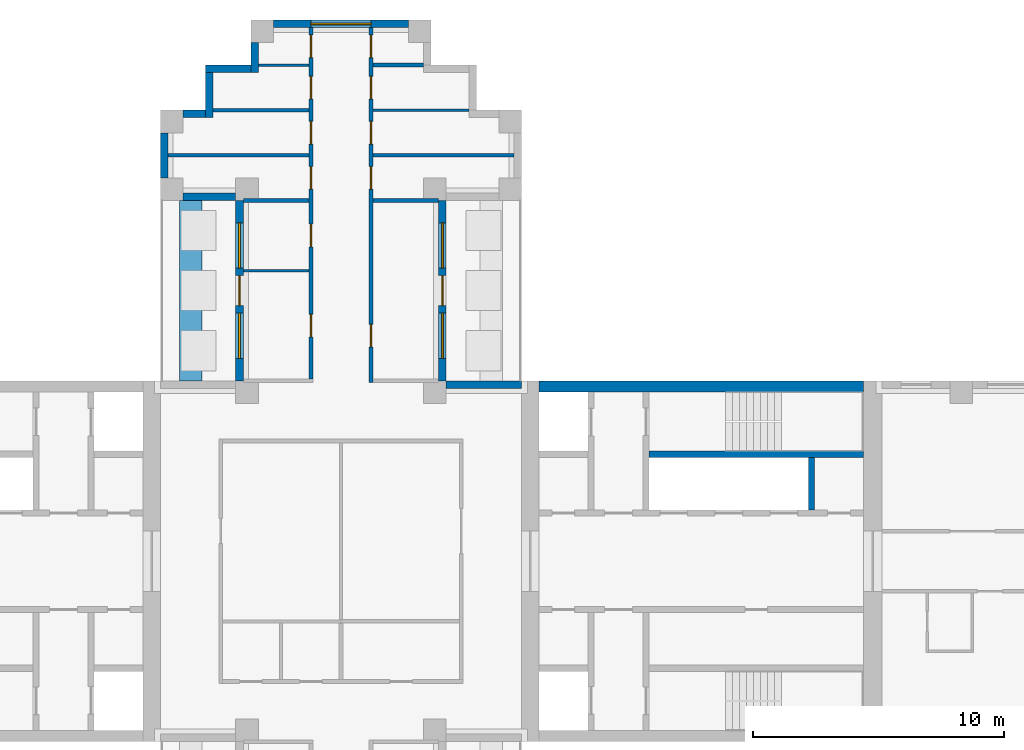
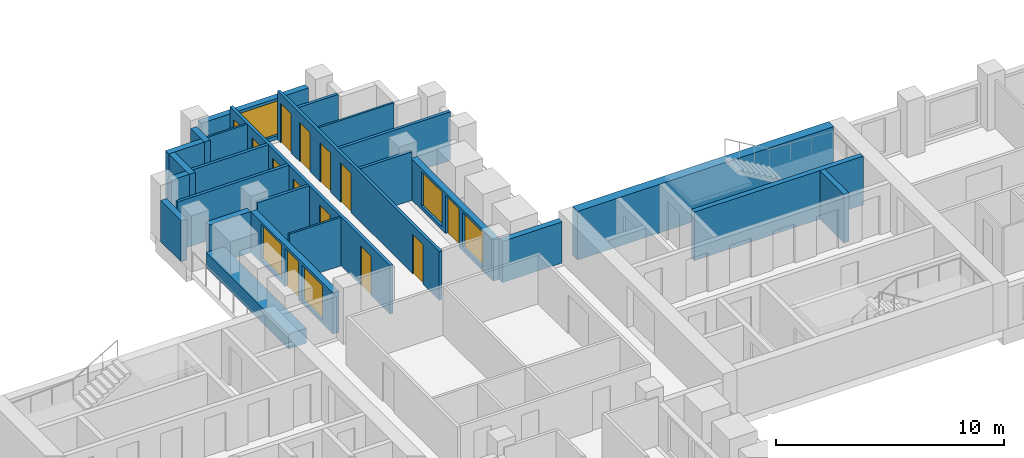
# One storey, part 7 of 12: 25 walls, 13 doors, 5 windows, 18 openings.
"""IFC4 building model written with IfcOpenShell, lengths in metres."""

from ifc_helpers import new_model, si_unit, direction, frame, frame_2d, origin, place, context, subcontext, project, spatial, rectangle, extrude, material, layer, layer_set, type_object, element, fill, save


model = new_model("IFC4")

# Units and contexts
model_context = context("Model", 3, precision=1e-05, world=origin(), true_north=direction((0.0, 1.0)))
body_context = subcontext(model_context, "Body", "Model", "MODEL_VIEW")
ifc_project = project(units=[si_unit("LENGTHUNIT", "METRE"), si_unit("AREAUNIT", "SQUARE_METRE"), si_unit("VOLUMEUNIT", "CUBIC_METRE"), si_unit("PLANEANGLEUNIT", "RADIAN"), si_unit("MASSUNIT", "GRAM", prefix="KILO")], contexts=[model_context])

# Site, building, storey
site_placement = place(None, origin())
site = spatial("IfcSite", under=ifc_project, at=site_placement, CompositionType="ELEMENT")
building_placement = place(site_placement, origin())
building = spatial("IfcBuilding", under=site, at=building_placement, Name="Fustian Cross Tower", CompositionType="ELEMENT")
storey_placement = place(building_placement, frame((0.0, 0.0, 156.300048828125)))
storey = spatial("IfcBuildingStorey", under=building, at=storey_placement, Name="L49", CompositionType="ELEMENT", Elevation=156.300048828125)

# Walls
ifc_material_1 = material(Name="Plasterboard on steel stud", Category="steel")
ifc_layer_1 = layer(ifc_material_1, 0.14990234375)
ifc_layer_set_1 = layer_set([ifc_layer_1], Name="Plasterboard on steel stud")
wall_type_1 = type_object("IfcWallType", Name="COMPARTMENT WALL 150 EI 60", PredefinedType="PARTITIONING", material=ifc_layer_set_1)
wall_1_placement = place(storey_placement, frame((-6.89990234375, 16.199951171875, 0.0), z_axis=(0.0, 0.0, 1.0), x_axis=(1.0, 0.0, 0.0)))
element("IfcWall", 1, at=wall_1_placement, inside=storey, type_object=wall_type_1, Name="Partition 10", PredefinedType="PARTITIONING", context=body_context, shape_type="SweptSolid", body=[
    extrude(rectangle(XDim=5.625, YDim=0.14990234375, at=frame_2d((2.8125, 0.0))), origin(), (0.0, 0.0, 1.0), 2.599853515625),
])
wall_2_placement = place(storey_placement, frame((-5.10009765625, 18.0, 0.0), z_axis=(0.0, 0.0, 1.0), x_axis=(1.0, 0.0, 0.0)))
element("IfcWall", 2, at=wall_2_placement, inside=storey, type_object=wall_type_1, Name="Partition 11", PredefinedType="PARTITIONING", context=body_context, shape_type="SweptSolid", body=[
    extrude(rectangle(XDim=3.8251953125, YDim=0.14990234375, at=frame_2d((1.91259765625, 0.0))), origin(), (0.0, 0.0, 1.0), 2.599853515625),
])
wall_3_placement = place(storey_placement, frame((-3.89990234375, 14.39990234375, 0.0), z_axis=(0.0, 0.0, 1.0), x_axis=(1.0, 0.0, 0.0)))
element("IfcWall", 3, at=wall_3_placement, inside=storey, type_object=wall_type_1, Name="Partition 21", PredefinedType="PARTITIONING", context=body_context, shape_type="SweptSolid", body=[
    extrude(rectangle(XDim=2.625, YDim=0.14990234375, at=frame_2d((1.3125, 0.0))), origin(), (0.0, 0.0, 1.0), 2.599853515625),
])

# Wall, openings, doors
wall_4_placement = place(storey_placement, frame((-1.199951171875, 7.27490234375, 0.0), z_axis=(0.0, 0.0, 1.0), x_axis=(0.0, 1.0, 0.0)))
wall_4 = element("IfcWall", 4, at=wall_4_placement, inside=storey, type_object=wall_type_1, Name="Partition 28", PredefinedType="PARTITIONING", context=body_context, shape_type="SweptSolid", body=[
    extrude(rectangle(XDim=14.025146484375, YDim=0.14990234375, at=frame_2d((7.0126953125, 0.0))), origin(), (0.0, 0.0, 1.0), 2.599853515625),
])
opening_1_placement = place(wall_4_placement, frame((5.27490234375, 0.0, 0.0)))
opening_1 = element("IfcOpeningElement", 5, at=opening_1_placement, cuts=wall_4, Name="Opening D22015", PredefinedType="OPENING", context=body_context, shape_type="SweptSolid", body=[
    extrude(rectangle(XDim=0.89990234375, YDim=2.10009765625, at=frame_2d((0.449951171875, 1.050048828125))), frame((0.0, 0.0849609375, 0.0), z_axis=(0.0, -1.0, 0.0), x_axis=(1.0, 0.0, 0.0)), (0.0, 0.0, 1.0), 0.169921875),
])
opening_2_placement = place(wall_4_placement, frame((1.675048828125, 0.0, 0.0)))
opening_2 = element("IfcOpeningElement", 6, at=opening_2_placement, cuts=wall_4, Name="Opening D22016", PredefinedType="OPENING", context=body_context, shape_type="SweptSolid", body=[
    extrude(rectangle(XDim=0.89990234375, YDim=2.10009765625, at=frame_2d((0.449951171875, 1.050048828125))), frame((0.0, 0.0849609375, 0.0), z_axis=(0.0, -1.0, 0.0), x_axis=(1.0, 0.0, 0.0)), (0.0, 0.0, 1.0), 0.169921875),
])
opening_3_placement = place(wall_4_placement, frame((7.574951171875, 0.0, 0.0)))
opening_3 = element("IfcOpeningElement", 7, at=opening_3_placement, cuts=wall_4, Name="Opening D22017", PredefinedType="OPENING", context=body_context, shape_type="SweptSolid", body=[
    extrude(rectangle(XDim=0.89990234375, YDim=2.10009765625, at=frame_2d((0.449951171875, 1.050048828125))), frame((0.0, 0.0849609375, 0.0), z_axis=(0.0, -1.0, 0.0), x_axis=(1.0, 0.0, 0.0)), (0.0, 0.0, 1.0), 0.169921875),
])
opening_4_placement = place(wall_4_placement, frame((9.375, 0.0, 0.0)))
opening_4 = element("IfcOpeningElement", 8, at=opening_4_placement, cuts=wall_4, Name="Opening D22018", PredefinedType="OPENING", context=body_context, shape_type="SweptSolid", body=[
    extrude(rectangle(XDim=0.89990234375, YDim=2.10009765625, at=frame_2d((0.449951171875, 1.050048828125))), frame((0.0, 0.0849609375, 0.0), z_axis=(0.0, -1.0, 0.0), x_axis=(1.0, 0.0, 0.0)), (0.0, 0.0, 1.0), 0.169921875),
])
opening_5_placement = place(wall_4_placement, frame((11.175048828125, 0.0, 0.0)))
opening_5 = element("IfcOpeningElement", 9, at=opening_5_placement, cuts=wall_4, Name="Opening D22019", PredefinedType="OPENING", context=body_context, shape_type="SweptSolid", body=[
    extrude(rectangle(XDim=0.89990234375, YDim=2.10009765625, at=frame_2d((0.449951171875, 1.050048828125))), frame((0.0, 0.0849609375, 0.0), z_axis=(0.0, -1.0, 0.0), x_axis=(1.0, 0.0, 0.0)), (0.0, 0.0, 1.0), 0.169921875),
])
opening_6_placement = place(wall_4_placement, frame((12.824951171875, 0.0, 0.0)))
opening_6 = element("IfcOpeningElement", 10, at=opening_6_placement, cuts=wall_4, Name="Opening D22020", PredefinedType="OPENING", context=body_context, shape_type="SweptSolid", body=[
    extrude(rectangle(XDim=0.89990234375, YDim=2.10009765625, at=frame_2d((0.449951171875, 1.050048828125))), frame((0.0, 0.0849609375, 0.0), z_axis=(0.0, -1.0, 0.0), x_axis=(1.0, 0.0, 0.0)), (0.0, 0.0, 1.0), 0.169921875),
])
ifc_material_2 = material(Name="Timber fire door set", Category="wood")
door_type_1 = type_object("IfcDoorType", Name="FIRE SWING DOOR 900 FD30S", OperationType="SINGLE_SWING_LEFT", PredefinedType="DOOR", material=ifc_material_2)
door_1_placement = place(opening_1_placement, origin())
door_1 = element("IfcDoor", 11, at=door_1_placement, inside=storey, type_object=door_type_1, Name="Door D22015", OperationType="SINGLE_SWING_LEFT", OverallHeight=2.10009765625, OverallWidth=0.89990234375, PredefinedType="DOOR", context=body_context, shape_type="SweptSolid", body=[
    extrude(rectangle(XDim=0.89990234375, YDim=2.10009765625, at=frame_2d((0.449951171875, 1.050048828125))), frame((0.0, 0.02490234375, 0.0), z_axis=(0.0, -1.0, 0.0), x_axis=(1.0, 0.0, 0.0)), (0.0, 0.0, 1.0), 0.050048828125),
])
fill(opening_1, door_1)
door_2_placement = place(opening_2_placement, origin())
door_2 = element("IfcDoor", 12, at=door_2_placement, inside=storey, type_object=door_type_1, Name="Door D22016", OperationType="SINGLE_SWING_LEFT", OverallHeight=2.10009765625, OverallWidth=0.89990234375, PredefinedType="DOOR", context=body_context, shape_type="SweptSolid", body=[
    extrude(rectangle(XDim=0.89990234375, YDim=2.10009765625, at=frame_2d((0.449951171875, 1.050048828125))), frame((0.0, 0.02490234375, 0.0), z_axis=(0.0, -1.0, 0.0), x_axis=(1.0, 0.0, 0.0)), (0.0, 0.0, 1.0), 0.050048828125),
])
fill(opening_2, door_2)
door_3_placement = place(opening_3_placement, origin())
door_3 = element("IfcDoor", 13, at=door_3_placement, inside=storey, type_object=door_type_1, Name="Door D22017", OperationType="SINGLE_SWING_RIGHT", OverallHeight=2.10009765625, OverallWidth=0.89990234375, PredefinedType="DOOR", context=body_context, shape_type="SweptSolid", body=[
    extrude(rectangle(XDim=0.89990234375, YDim=2.10009765625, at=frame_2d((0.449951171875, 1.050048828125))), frame((0.0, 0.02490234375, 0.0), z_axis=(0.0, -1.0, 0.0), x_axis=(1.0, 0.0, 0.0)), (0.0, 0.0, 1.0), 0.050048828125),
])
fill(opening_3, door_3)
door_4_placement = place(opening_4_placement, origin())
door_4 = element("IfcDoor", 14, at=door_4_placement, inside=storey, type_object=door_type_1, Name="Door D22018", OperationType="SINGLE_SWING_RIGHT", OverallHeight=2.10009765625, OverallWidth=0.89990234375, PredefinedType="DOOR", context=body_context, shape_type="SweptSolid", body=[
    extrude(rectangle(XDim=0.89990234375, YDim=2.10009765625, at=frame_2d((0.449951171875, 1.050048828125))), frame((0.0, 0.02490234375, 0.0), z_axis=(0.0, -1.0, 0.0), x_axis=(1.0, 0.0, 0.0)), (0.0, 0.0, 1.0), 0.050048828125),
])
fill(opening_4, door_4)
door_5_placement = place(opening_5_placement, origin())
door_5 = element("IfcDoor", 15, at=door_5_placement, inside=storey, type_object=door_type_1, Name="Door D22019", OperationType="SINGLE_SWING_RIGHT", OverallHeight=2.10009765625, OverallWidth=0.89990234375, PredefinedType="DOOR", context=body_context, shape_type="SweptSolid", body=[
    extrude(rectangle(XDim=0.89990234375, YDim=2.10009765625, at=frame_2d((0.449951171875, 1.050048828125))), frame((0.0, 0.02490234375, 0.0), z_axis=(0.0, -1.0, 0.0), x_axis=(1.0, 0.0, 0.0)), (0.0, 0.0, 1.0), 0.050048828125),
])
fill(opening_5, door_5)
door_6_placement = place(opening_6_placement, origin())
door_6 = element("IfcDoor", 16, at=door_6_placement, inside=storey, type_object=door_type_1, Name="Door D22020", OperationType="SINGLE_SWING_LEFT", OverallHeight=2.10009765625, OverallWidth=0.89990234375, PredefinedType="DOOR", context=body_context, shape_type="SweptSolid", body=[
    extrude(rectangle(XDim=0.89990234375, YDim=2.10009765625, at=frame_2d((0.449951171875, 1.050048828125))), frame((0.0, 0.02490234375, 0.0), z_axis=(0.0, -1.0, 0.0), x_axis=(1.0, 0.0, 0.0)), (0.0, 0.0, 1.0), 0.050048828125),
])
fill(opening_6, door_6)

wall_5_placement = place(storey_placement, frame((1.199951171875, 7.125, 0.0), z_axis=(0.0, 0.0, 1.0), x_axis=(0.0, 1.0, 0.0)))
wall_5 = element("IfcWall", 17, at=wall_5_placement, inside=storey, type_object=wall_type_1, Name="Partition 37", PredefinedType="PARTITIONING", context=body_context, shape_type="SweptSolid", body=[
    extrude(rectangle(XDim=14.175048828125, YDim=0.14990234375, at=frame_2d((7.08740234375, 0.0))), origin(), (0.0, 0.0, 1.0), 2.599853515625),
])
opening_7_placement = place(wall_5_placement, frame((1.425048828125, 0.0, 0.0)))
opening_7 = element("IfcOpeningElement", 18, at=opening_7_placement, cuts=wall_5, Name="Opening D22021", PredefinedType="OPENING", context=body_context, shape_type="SweptSolid", body=[
    extrude(rectangle(XDim=0.89990234375, YDim=2.10009765625, at=frame_2d((0.449951171875, 1.050048828125))), frame((0.0, 0.0849609375, 0.0), z_axis=(0.0, -1.0, 0.0), x_axis=(1.0, 0.0, 0.0)), (0.0, 0.0, 1.0), 0.169921875),
])
opening_8_placement = place(wall_5_placement, frame((7.72509765625, 0.0, 0.0)))
opening_8 = element("IfcOpeningElement", 19, at=opening_8_placement, cuts=wall_5, Name="Opening D22022", PredefinedType="OPENING", context=body_context, shape_type="SweptSolid", body=[
    extrude(rectangle(XDim=0.89990234375, YDim=2.10009765625, at=frame_2d((0.449951171875, 1.050048828125))), frame((0.0, 0.0849609375, 0.0), z_axis=(0.0, -1.0, 0.0), x_axis=(1.0, 0.0, 0.0)), (0.0, 0.0, 1.0), 0.169921875),
])
opening_9_placement = place(wall_5_placement, frame((9.52490234375, 0.0, 0.0)))
opening_9 = element("IfcOpeningElement", 20, at=opening_9_placement, cuts=wall_5, Name="Opening D22023", PredefinedType="OPENING", context=body_context, shape_type="SweptSolid", body=[
    extrude(rectangle(XDim=0.89990234375, YDim=2.10009765625, at=frame_2d((0.449951171875, 1.050048828125))), frame((0.0, 0.0849609375, 0.0), z_axis=(0.0, -1.0, 0.0), x_axis=(1.0, 0.0, 0.0)), (0.0, 0.0, 1.0), 0.169921875),
])
opening_10_placement = place(wall_5_placement, frame((11.324951171875, 0.0, 0.0)))
opening_10 = element("IfcOpeningElement", 21, at=opening_10_placement, cuts=wall_5, Name="Opening D22024", PredefinedType="OPENING", context=body_context, shape_type="SweptSolid", body=[
    extrude(rectangle(XDim=0.89990234375, YDim=2.10009765625, at=frame_2d((0.449951171875, 1.050048828125))), frame((0.0, 0.0849609375, 0.0), z_axis=(0.0, -1.0, 0.0), x_axis=(1.0, 0.0, 0.0)), (0.0, 0.0, 1.0), 0.169921875),
])
opening_11_placement = place(wall_5_placement, frame((12.97509765625, 0.0, 0.0)))
opening_11 = element("IfcOpeningElement", 22, at=opening_11_placement, cuts=wall_5, Name="Opening D22025", PredefinedType="OPENING", context=body_context, shape_type="SweptSolid", body=[
    extrude(rectangle(XDim=0.89990234375, YDim=2.10009765625, at=frame_2d((0.449951171875, 1.050048828125))), frame((0.0, 0.0849609375, 0.0), z_axis=(0.0, -1.0, 0.0), x_axis=(1.0, 0.0, 0.0)), (0.0, 0.0, 1.0), 0.169921875),
])
door_7_placement = place(opening_7_placement, frame((0.89990234375, 0.0, 0.0), z_axis=(0.0, 0.0, 1.0), x_axis=(-1.0, 0.0, 0.0)))
door_7 = element("IfcDoor", 23, at=door_7_placement, inside=storey, type_object=door_type_1, Name="Door D22021", OperationType="SINGLE_SWING_RIGHT", OverallHeight=2.10009765625, OverallWidth=0.89990234375, PredefinedType="DOOR", context=body_context, shape_type="SweptSolid", body=[
    extrude(rectangle(XDim=0.89990234375, YDim=2.10009765625, at=frame_2d((0.449951171875, 1.050048828125))), frame((0.0, 0.02490234375, 0.0), z_axis=(0.0, -1.0, 0.0), x_axis=(1.0, 0.0, 0.0)), (0.0, 0.0, 1.0), 0.050048828125),
])
fill(opening_7, door_7)
door_8_placement = place(opening_8_placement, origin())
door_8 = element("IfcDoor", 24, at=door_8_placement, inside=storey, type_object=door_type_1, Name="Door D22022", OperationType="SINGLE_SWING_RIGHT", OverallHeight=2.10009765625, OverallWidth=0.89990234375, PredefinedType="DOOR", context=body_context, shape_type="SweptSolid", body=[
    extrude(rectangle(XDim=0.89990234375, YDim=2.10009765625, at=frame_2d((0.449951171875, 1.050048828125))), frame((0.0, 0.02490234375, 0.0), z_axis=(0.0, -1.0, 0.0), x_axis=(1.0, 0.0, 0.0)), (0.0, 0.0, 1.0), 0.050048828125),
])
fill(opening_8, door_8)
door_9_placement = place(opening_9_placement, frame((0.89990234375, 0.0, 0.0), z_axis=(0.0, 0.0, 1.0), x_axis=(-1.0, 0.0, 0.0)))
door_9 = element("IfcDoor", 25, at=door_9_placement, inside=storey, type_object=door_type_1, Name="Door D22023", OperationType="SINGLE_SWING_LEFT", OverallHeight=2.10009765625, OverallWidth=0.89990234375, PredefinedType="DOOR", context=body_context, shape_type="SweptSolid", body=[
    extrude(rectangle(XDim=0.89990234375, YDim=2.10009765625, at=frame_2d((0.449951171875, 1.050048828125))), frame((0.0, 0.02490234375, 0.0), z_axis=(0.0, -1.0, 0.0), x_axis=(1.0, 0.0, 0.0)), (0.0, 0.0, 1.0), 0.050048828125),
])
fill(opening_9, door_9)
door_10_placement = place(opening_10_placement, frame((0.89990234375, 0.0, 0.0), z_axis=(0.0, 0.0, 1.0), x_axis=(-1.0, 0.0, 0.0)))
door_10 = element("IfcDoor", 26, at=door_10_placement, inside=storey, type_object=door_type_1, Name="Door D22024", OperationType="SINGLE_SWING_LEFT", OverallHeight=2.10009765625, OverallWidth=0.89990234375, PredefinedType="DOOR", context=body_context, shape_type="SweptSolid", body=[
    extrude(rectangle(XDim=0.89990234375, YDim=2.10009765625, at=frame_2d((0.449951171875, 1.050048828125))), frame((0.0, 0.02490234375, 0.0), z_axis=(0.0, -1.0, 0.0), x_axis=(1.0, 0.0, 0.0)), (0.0, 0.0, 1.0), 0.050048828125),
])
fill(opening_10, door_10)
door_11_placement = place(opening_11_placement, origin())
door_11 = element("IfcDoor", 27, at=door_11_placement, inside=storey, type_object=door_type_1, Name="Door D22025", OperationType="SINGLE_SWING_RIGHT", OverallHeight=2.10009765625, OverallWidth=0.89990234375, PredefinedType="DOOR", context=body_context, shape_type="SweptSolid", body=[
    extrude(rectangle(XDim=0.89990234375, YDim=2.10009765625, at=frame_2d((0.449951171875, 1.050048828125))), frame((0.0, 0.02490234375, 0.0), z_axis=(0.0, -1.0, 0.0), x_axis=(1.0, 0.0, 0.0)), (0.0, 0.0, 1.0), 0.050048828125),
])
fill(opening_11, door_11)

# Walls
wall_6_placement = place(storey_placement, frame((1.27490234375, 14.39990234375, 0.0), z_axis=(0.0, 0.0, 1.0), x_axis=(1.0, 0.0, 0.0)))
element("IfcWall", 28, at=wall_6_placement, inside=storey, type_object=wall_type_1, Name="Partition 39", PredefinedType="PARTITIONING", context=body_context, shape_type="SweptSolid", body=[
    extrude(rectangle(XDim=2.625, YDim=0.14990234375, at=frame_2d((1.3125, 0.0))), origin(), (0.0, 0.0, 1.0), 2.599853515625),
])
wall_7_placement = place(storey_placement, frame((1.27490234375, 16.199951171875, 0.0), z_axis=(0.0, 0.0, 1.0), x_axis=(1.0, 0.0, 0.0)))
element("IfcWall", 29, at=wall_7_placement, inside=storey, type_object=wall_type_1, Name="Partition 40", PredefinedType="PARTITIONING", context=body_context, shape_type="SweptSolid", body=[
    extrude(rectangle(XDim=5.625, YDim=0.14990234375, at=frame_2d((2.8125, 0.0))), origin(), (0.0, 0.0, 1.0), 2.599853515625),
])
wall_8_placement = place(storey_placement, frame((1.27490234375, 19.800048828125, 0.0), z_axis=(0.0, 0.0, 1.0), x_axis=(1.0, 0.0, 0.0)))
element("IfcWall", 30, at=wall_8_placement, inside=storey, type_object=wall_type_1, Name="Partition 42", PredefinedType="PARTITIONING", context=body_context, shape_type="SweptSolid", body=[
    extrude(rectangle(XDim=2.025146484375, YDim=0.14990234375, at=frame_2d((1.0126953125, 0.0))), origin(), (0.0, 0.0, 1.0), 2.599853515625),
])
ifc_material_3 = material(Name="Concrete C60/75", Category="concrete")
ifc_layer_2 = layer(ifc_material_3, 0.449951171875)
ifc_layer_set_2 = layer_set([ifc_layer_2], Name="Concrete C60/75")
wall_type_2 = type_object("IfcWallType", Name="CORE FACADE WALL 450 C60/75", PredefinedType="SHEAR", material=ifc_layer_set_2)
wall_9_placement = place(storey_placement, frame((7.89990234375, 6.97509765625, 0.0), z_axis=(0.0, 0.0, 1.0), x_axis=(1.0, 0.0, 0.0)))
element("IfcWall", 31, at=wall_9_placement, inside=storey, type_object=wall_type_2, Name="Core facade wall", PredefinedType="SHEAR", context=body_context, shape_type="SweptSolid", body=[
    extrude(rectangle(XDim=12.9501953125, YDim=0.449951171875, at=frame_2d((6.47509765625, 0.0))), origin(), (0.0, 0.0, 1.0), 2.599853515625),
])
ifc_material_4 = material(Name="Concrete C50/60", Category="concrete")
ifc_layer_3 = layer(ifc_material_4, 0.25)
ifc_layer_set_3 = layer_set([ifc_layer_3], Name="Concrete C50/60")
wall_type_3 = type_object("IfcWallType", Name="CORE SHAFT WALL 250 C50/60", PredefinedType="SHEAR", material=ifc_layer_set_3)
wall_10_placement = place(storey_placement, frame((12.300048828125, 4.27490234375, 0.0), z_axis=(0.0, 0.0, 1.0), x_axis=(1.0, 0.0, 0.0)))
element("IfcWall", 32, at=wall_10_placement, inside=storey, type_object=wall_type_3, Name="Core shaft wall", PredefinedType="SHEAR", context=body_context, shape_type="SweptSolid", body=[
    extrude(rectangle(XDim=8.550048828125, YDim=0.25, at=frame_2d((4.27490234375, 0.0))), origin(), (0.0, 0.0, 1.0), 2.599853515625),
])
ifc_material_5 = material(Name="Plasterboard on steel stud", Category="steel")
ifc_layer_4 = layer(ifc_material_5, 0.10009765625)
ifc_layer_set_4 = layer_set([ifc_layer_4], Name="Plasterboard on steel stud")
wall_type_4 = type_object("IfcWallType", Name="PARTITION 100 STUD", PredefinedType="PARTITIONING", material=ifc_layer_set_4)
wall_11_placement = place(storey_placement, frame((-3.89990234375, 11.60009765625, 0.0), z_axis=(0.0, 0.0, 1.0), x_axis=(1.0, 0.0, 0.0)))
element("IfcWall", 33, at=wall_11_placement, inside=storey, type_object=wall_type_4, Name="Partition 20", PredefinedType="PARTITIONING", context=body_context, shape_type="SweptSolid", body=[
    extrude(rectangle(XDim=2.625, YDim=0.10009765625, at=frame_2d((1.3125, 0.0))), origin(), (0.0, 0.0, 1.0), 2.599853515625),
])
wall_12_placement = place(storey_placement, frame((-3.300048828125, 19.800048828125, 0.0), z_axis=(0.0, 0.0, 1.0), x_axis=(1.0, 0.0, 0.0)))
element("IfcWall", 34, at=wall_12_placement, inside=storey, type_object=wall_type_4, Name="Partition 25", PredefinedType="PARTITIONING", context=body_context, shape_type="SweptSolid", body=[
    extrude(rectangle(XDim=2.025146484375, YDim=0.10009765625, at=frame_2d((1.0126953125, 0.0))), origin(), (0.0, 0.0, 1.0), 2.599853515625),
])
wall_13_placement = place(storey_placement, frame((1.27490234375, 18.0, 0.0), z_axis=(0.0, 0.0, 1.0), x_axis=(1.0, 0.0, 0.0)))
element("IfcWall", 35, at=wall_13_placement, inside=storey, type_object=wall_type_4, Name="Partition 41", PredefinedType="PARTITIONING", context=body_context, shape_type="SweptSolid", body=[
    extrude(rectangle(XDim=3.8251953125, YDim=0.10009765625, at=frame_2d((1.91259765625, 0.0))), origin(), (0.0, 0.0, 1.0), 2.599853515625),
])
ifc_material_6 = material(Name="Concrete C40/50", Category="concrete")
ifc_layer_5 = layer(ifc_material_6, 0.89990234375)
ifc_layer_set_5 = layer_set([ifc_layer_5], Name="Concrete C40/50")
wall_type_5 = type_object("IfcWallType", Name="PK1 PLANTER 900", PredefinedType="PARAPET", material=ifc_layer_set_5)
wall_14_placement = place(storey_placement, frame((-6.0, 7.199951171875, 0.0), z_axis=(0.0, 0.0, 1.0), x_axis=(0.0, 1.0, 0.0)))
element("IfcWall", 36, at=wall_14_placement, inside=storey, type_object=wall_type_5, Name="PLANTER", PredefinedType="PARAPET", context=body_context, shape_type="SweptSolid", body=[
    extrude(rectangle(XDim=7.199951171875, YDim=0.89990234375, at=frame_2d((3.60009765625, 0.0))), origin(), (0.0, 0.0, 1.0), 0.800048828125),
])
ifc_material_7 = material(Name="Concrete C40/50", Category="concrete")
ifc_layer_6 = layer(ifc_material_7, 0.25)
ifc_layer_set_6 = layer_set([ifc_layer_6], Name="Concrete C40/50")
wall_type_6 = type_object("IfcWallType", Name="SHAFT PARTITION WALL 250 C40/50", PredefinedType="PARTITIONING", material=ifc_layer_set_6)
wall_15_placement = place(storey_placement, frame((18.77490234375, 2.050048828125, 0.0), z_axis=(0.0, 0.0, 1.0), x_axis=(0.0, 1.0, 0.0)))
element("IfcWall", 37, at=wall_15_placement, inside=storey, type_object=wall_type_6, Name="Core shaft wall", PredefinedType="PARTITIONING", context=body_context, shape_type="SweptSolid", body=[
    extrude(rectangle(XDim=2.099853515625, YDim=0.25, at=frame_2d((1.0498046875, 0.0))), origin(), (0.0, 0.0, 1.0), 2.599853515625),
])
ifc_material_8 = material(Name="Dark aluminium cladding on insulated backing wall", Category="aluminium")
ifc_layer_7 = layer(ifc_material_8, 0.300048828125)
ifc_layer_set_7 = layer_set([ifc_layer_7], Name="Dark aluminium cladding on insulated backing wall")
wall_type_7 = type_object("IfcWallType", Name="XW1 EXTERNAL WALL 300", PredefinedType="SOLIDWALL", material=ifc_layer_set_7)
wall_16_placement = place(storey_placement, frame((7.199951171875, 7.050048828125, 0.0), z_axis=(0.0, 0.0, 1.0), x_axis=(-1.0, 0.0, 0.0)))
element("IfcWall", 38, at=wall_16_placement, inside=storey, type_object=wall_type_7, Name="External wall", PredefinedType="SOLIDWALL", context=body_context, shape_type="SweptSolid", body=[
    extrude(rectangle(XDim=3.0, YDim=0.300048828125, at=frame_2d((1.5, 0.0))), origin(), (0.0, 0.0, 1.0), 2.199951171875),
])

# Wall, openings, door, windows
wall_17_placement = place(storey_placement, frame((4.050048828125, 7.199951171875, 0.0), z_axis=(0.0, 0.0, 1.0), x_axis=(0.0, 1.0, 0.0)))
wall_17 = element("IfcWall", 39, at=wall_17_placement, inside=storey, type_object=wall_type_7, Name="External wall", PredefinedType="SOLIDWALL", context=body_context, shape_type="SweptSolid", body=[
    extrude(rectangle(XDim=7.199951171875, YDim=0.300048828125, at=frame_2d((3.60009765625, 0.0))), origin(), (0.0, 0.0, 1.0), 2.199951171875),
])
opening_12_placement = place(wall_17_placement, frame((3.0, 0.0, 0.0)))
opening_12 = element("IfcOpeningElement", 40, at=opening_12_placement, cuts=wall_17, Name="Opening XD1", PredefinedType="OPENING", context=body_context, shape_type="SweptSolid", body=[
    extrude(rectangle(XDim=1.199951171875, YDim=2.050048828125, at=frame_2d((0.60009765625, 1.02490234375))), frame((0.0, 0.159912109375, 0.0), z_axis=(0.0, -1.0, 0.0), x_axis=(1.0, 0.0, 0.0)), (0.0, 0.0, 1.0), 0.320068359375),
])
opening_13_placement = place(wall_17_placement, frame((0.89990234375, 0.0, 0.199951171875)))
opening_13 = element("IfcOpeningElement", 41, at=opening_13_placement, cuts=wall_17, Name="Opening WN2", PredefinedType="OPENING", context=body_context, shape_type="SweptSolid", body=[
    extrude(rectangle(XDim=1.800048828125, YDim=1.85009765625, at=frame_2d((0.89990234375, 0.925048828125))), frame((0.0, 0.159912109375, 0.0), z_axis=(0.0, -1.0, 0.0), x_axis=(1.0, 0.0, 0.0)), (0.0, 0.0, 1.0), 0.320068359375),
])
opening_14_placement = place(wall_17_placement, frame((4.5, 0.0, 0.199951171875)))
opening_14 = element("IfcOpeningElement", 42, at=opening_14_placement, cuts=wall_17, Name="Opening WN2", PredefinedType="OPENING", context=body_context, shape_type="SweptSolid", body=[
    extrude(rectangle(XDim=1.800048828125, YDim=1.85009765625, at=frame_2d((0.89990234375, 0.925048828125))), frame((0.0, 0.159912109375, 0.0), z_axis=(0.0, -1.0, 0.0), x_axis=(1.0, 0.0, 0.0)), (0.0, 0.0, 1.0), 0.320068359375),
])
ifc_material_9 = material(Name="Dark anodised aluminium and double glazing", Category="aluminium")
door_type_2 = type_object("IfcDoorType", Name="ED1 BALCONY DOOR 1200X2050", OperationType="SINGLE_SWING_LEFT", PredefinedType="DOOR", material=ifc_material_9)
door_12_placement = place(opening_12_placement, origin())
door_12 = element("IfcDoor", 43, at=door_12_placement, inside=storey, type_object=door_type_2, Name="Balcony door", OperationType="SINGLE_SWING_LEFT", OverallHeight=2.050048828125, OverallWidth=1.199951171875, PredefinedType="DOOR", context=body_context, shape_type="SweptSolid", body=[
    extrude(rectangle(XDim=1.199951171875, YDim=2.050048828125, at=frame_2d((0.60009765625, 1.02490234375))), frame((0.0, 0.02490234375, 0.0), z_axis=(0.0, -1.0, 0.0), x_axis=(1.0, 0.0, 0.0)), (0.0, 0.0, 1.0), 0.050048828125),
])
fill(opening_12, door_12)
ifc_material_10 = material(Name="Dark anodised aluminium and double glazing", Category="aluminium")
window_type_1 = type_object("IfcWindowType", Name="WN2 WINDOW 1800X1850", PartitioningType="SINGLE_PANEL", PredefinedType="WINDOW", material=ifc_material_10)
window_1_placement = place(opening_13_placement, origin())
window_1 = element("IfcWindow", 44, at=window_1_placement, inside=storey, type_object=window_type_1, Name="Window", OverallHeight=1.85009765625, OverallWidth=1.800048828125, PartitioningType="SINGLE_PANEL", PredefinedType="WINDOW", context=body_context, shape_type="SweptSolid", body=[
    extrude(rectangle(XDim=1.800048828125, YDim=1.85009765625, at=frame_2d((0.89990234375, 0.925048828125))), frame((0.0, 0.030029296875, 0.0), z_axis=(0.0, -1.0, 0.0), x_axis=(1.0, 0.0, 0.0)), (0.0, 0.0, 1.0), 0.06005859375),
])
fill(opening_13, window_1)
window_2_placement = place(opening_14_placement, origin())
window_2 = element("IfcWindow", 45, at=window_2_placement, inside=storey, type_object=window_type_1, Name="Window", OverallHeight=1.85009765625, OverallWidth=1.800048828125, PartitioningType="SINGLE_PANEL", PredefinedType="WINDOW", context=body_context, shape_type="SweptSolid", body=[
    extrude(rectangle(XDim=1.800048828125, YDim=1.85009765625, at=frame_2d((0.89990234375, 0.925048828125))), frame((0.0, 0.030029296875, 0.0), z_axis=(0.0, -1.0, 0.0), x_axis=(1.0, 0.0, 0.0)), (0.0, 0.0, 1.0), 0.06005859375),
])
fill(opening_14, window_2)

# Wall, opening, window
wall_18_placement = place(storey_placement, frame((2.699951171875, 21.449951171875, 0.0), z_axis=(0.0, 0.0, 1.0), x_axis=(-1.0, 0.0, 0.0)))
wall_18 = element("IfcWall", 46, at=wall_18_placement, inside=storey, type_object=wall_type_7, Name="External wall", PredefinedType="SOLIDWALL", context=body_context, shape_type="SweptSolid", body=[
    extrude(rectangle(XDim=5.39990234375, YDim=0.300048828125, at=frame_2d((2.699951171875, 0.0))), origin(), (0.0, 0.0, 1.0), 2.199951171875),
])
opening_15_placement = place(wall_18_placement, frame((1.5, 0.0, 0.199951171875)))
opening_15 = element("IfcOpeningElement", 47, at=opening_15_placement, cuts=wall_18, Name="Opening WN1", PredefinedType="OPENING", context=body_context, shape_type="SweptSolid", body=[
    extrude(rectangle(XDim=2.39990234375, YDim=1.85009765625, at=frame_2d((1.199951171875, 0.925048828125))), frame((0.0, 0.159912109375, 0.0), z_axis=(0.0, -1.0, 0.0), x_axis=(1.0, 0.0, 0.0)), (0.0, 0.0, 1.0), 0.320068359375),
])
ifc_material_11 = material(Name="Dark anodised aluminium and double glazing", Category="aluminium")
window_type_2 = type_object("IfcWindowType", Name="WN1 WINDOW 2400X1850", PartitioningType="SINGLE_PANEL", PredefinedType="WINDOW", material=ifc_material_11)
window_3_placement = place(opening_15_placement, origin())
window_3 = element("IfcWindow", 48, at=window_3_placement, inside=storey, type_object=window_type_2, Name="Window", OverallHeight=1.85009765625, OverallWidth=2.39990234375, PartitioningType="SINGLE_PANEL", PredefinedType="WINDOW", context=body_context, shape_type="SweptSolid", body=[
    extrude(rectangle(XDim=2.39990234375, YDim=1.85009765625, at=frame_2d((1.199951171875, 0.925048828125))), frame((0.0, 0.030029296875, 0.0), z_axis=(0.0, -1.0, 0.0), x_axis=(1.0, 0.0, 0.0)), (0.0, 0.0, 1.0), 0.06005859375),
])
fill(opening_15, window_3)

# Walls
wall_19_placement = place(storey_placement, frame((-3.449951171875, 20.699951171875, 0.0), z_axis=(0.0, 0.0, 1.0), x_axis=(0.0, -1.0, 0.0)))
element("IfcWall", 49, at=wall_19_placement, inside=storey, type_object=wall_type_7, Name="External wall", PredefinedType="SOLIDWALL", context=body_context, shape_type="SweptSolid", body=[
    extrude(rectangle(XDim=1.199951171875, YDim=0.300048828125, at=frame_2d((0.60009765625, 0.0))), origin(), (0.0, 0.0, 1.0), 2.599853515625),
])
wall_20_placement = place(storey_placement, frame((-3.60009765625, 19.64990234375, 0.0), z_axis=(0.0, 0.0, 1.0), x_axis=(-1.0, 0.0, 0.0)))
element("IfcWall", 50, at=wall_20_placement, inside=storey, type_object=wall_type_7, Name="External wall", PredefinedType="SOLIDWALL", context=body_context, shape_type="SweptSolid", body=[
    extrude(rectangle(XDim=1.7998046875, YDim=0.300048828125, at=frame_2d((0.89990234375, 0.0))), origin(), (0.0, 0.0, 1.0), 2.599853515625),
])
wall_21_placement = place(storey_placement, frame((-5.25, 19.5, 0.0), z_axis=(0.0, 0.0, 1.0), x_axis=(0.0, -1.0, 0.0)))
element("IfcWall", 51, at=wall_21_placement, inside=storey, type_object=wall_type_7, Name="External wall", PredefinedType="SOLIDWALL", context=body_context, shape_type="SweptSolid", body=[
    extrude(rectangle(XDim=1.800048828125, YDim=0.300048828125, at=frame_2d((0.89990234375, 0.0))), origin(), (0.0, 0.0, 1.0), 2.599853515625),
])
wall_22_placement = place(storey_placement, frame((-5.39990234375, 17.85009765625, 0.0), z_axis=(0.0, 0.0, 1.0), x_axis=(-1.0, 0.0, 0.0)))
element("IfcWall", 52, at=wall_22_placement, inside=storey, type_object=wall_type_7, Name="External wall", PredefinedType="SOLIDWALL", context=body_context, shape_type="SweptSolid", body=[
    extrude(rectangle(XDim=0.900146484375, YDim=0.300048828125, at=frame_2d((0.4501953125, 0.0))), origin(), (0.0, 0.0, 1.0), 2.599853515625),
])
wall_23_placement = place(storey_placement, frame((-7.050048828125, 17.10009765625, 0.0), z_axis=(0.0, 0.0, 1.0), x_axis=(0.0, -1.0, 0.0)))
element("IfcWall", 53, at=wall_23_placement, inside=storey, type_object=wall_type_7, Name="External wall", PredefinedType="SOLIDWALL", context=body_context, shape_type="SweptSolid", body=[
    extrude(rectangle(XDim=1.800048828125, YDim=0.300048828125, at=frame_2d((0.89990234375, 0.0))), origin(), (0.0, 0.0, 1.0), 2.199951171875),
])
wall_24_placement = place(storey_placement, frame((-6.300048828125, 14.550048828125, 0.0), z_axis=(0.0, 0.0, 1.0), x_axis=(1.0, 0.0, 0.0)))
element("IfcWall", 54, at=wall_24_placement, inside=storey, type_object=wall_type_7, Name="External wall", PredefinedType="SOLIDWALL", context=body_context, shape_type="SweptSolid", body=[
    extrude(rectangle(XDim=2.10009765625, YDim=0.300048828125, at=frame_2d((1.050048828125, 0.0))), origin(), (0.0, 0.0, 1.0), 2.199951171875),
])

# Wall, openings, door, windows
wall_25_placement = place(storey_placement, frame((-4.050048828125, 14.39990234375, 0.0), z_axis=(0.0, 0.0, 1.0), x_axis=(0.0, -1.0, 0.0)))
wall_25 = element("IfcWall", 55, at=wall_25_placement, inside=storey, type_object=wall_type_7, Name="External wall", PredefinedType="SOLIDWALL", context=body_context, shape_type="SweptSolid", body=[
    extrude(rectangle(XDim=7.199951171875, YDim=0.300048828125, at=frame_2d((3.60009765625, 0.0))), origin(), (0.0, 0.0, 1.0), 2.199951171875),
])
opening_16_placement = place(wall_25_placement, frame((3.0, 0.0, 0.0)))
opening_16 = element("IfcOpeningElement", 56, at=opening_16_placement, cuts=wall_25, Name="Opening XD2", PredefinedType="OPENING", context=body_context, shape_type="SweptSolid", body=[
    extrude(rectangle(XDim=1.199951171875, YDim=2.050048828125, at=frame_2d((0.60009765625, 1.02490234375))), frame((0.0, 0.159912109375, 0.0), z_axis=(0.0, -1.0, 0.0), x_axis=(1.0, 0.0, 0.0)), (0.0, 0.0, 1.0), 0.320068359375),
])
opening_17_placement = place(wall_25_placement, frame((0.89990234375, 0.0, 0.199951171875)))
opening_17 = element("IfcOpeningElement", 57, at=opening_17_placement, cuts=wall_25, Name="Opening WN2", PredefinedType="OPENING", context=body_context, shape_type="SweptSolid", body=[
    extrude(rectangle(XDim=1.800048828125, YDim=1.85009765625, at=frame_2d((0.89990234375, 0.925048828125))), frame((0.0, 0.159912109375, 0.0), z_axis=(0.0, -1.0, 0.0), x_axis=(1.0, 0.0, 0.0)), (0.0, 0.0, 1.0), 0.320068359375),
])
opening_18_placement = place(wall_25_placement, frame((4.5, 0.0, 0.199951171875)))
opening_18 = element("IfcOpeningElement", 58, at=opening_18_placement, cuts=wall_25, Name="Opening WN2", PredefinedType="OPENING", context=body_context, shape_type="SweptSolid", body=[
    extrude(rectangle(XDim=1.800048828125, YDim=1.85009765625, at=frame_2d((0.89990234375, 0.925048828125))), frame((0.0, 0.159912109375, 0.0), z_axis=(0.0, -1.0, 0.0), x_axis=(1.0, 0.0, 0.0)), (0.0, 0.0, 1.0), 0.320068359375),
])
door_13_placement = place(opening_16_placement, origin())
door_13 = element("IfcDoor", 59, at=door_13_placement, inside=storey, type_object=door_type_2, Name="Balcony door", OperationType="SINGLE_SWING_LEFT", OverallHeight=2.050048828125, OverallWidth=1.199951171875, PredefinedType="DOOR", context=body_context, shape_type="SweptSolid", body=[
    extrude(rectangle(XDim=1.199951171875, YDim=2.050048828125, at=frame_2d((0.60009765625, 1.02490234375))), frame((0.0, 0.02490234375, 0.0), z_axis=(0.0, -1.0, 0.0), x_axis=(1.0, 0.0, 0.0)), (0.0, 0.0, 1.0), 0.050048828125),
])
fill(opening_16, door_13)
window_4_placement = place(opening_17_placement, origin())
window_4 = element("IfcWindow", 60, at=window_4_placement, inside=storey, type_object=window_type_1, Name="Window", OverallHeight=1.85009765625, OverallWidth=1.800048828125, PartitioningType="SINGLE_PANEL", PredefinedType="WINDOW", context=body_context, shape_type="SweptSolid", body=[
    extrude(rectangle(XDim=1.800048828125, YDim=1.85009765625, at=frame_2d((0.89990234375, 0.925048828125))), frame((0.0, 0.030029296875, 0.0), z_axis=(0.0, -1.0, 0.0), x_axis=(1.0, 0.0, 0.0)), (0.0, 0.0, 1.0), 0.06005859375),
])
fill(opening_17, window_4)
window_5_placement = place(opening_18_placement, origin())
window_5 = element("IfcWindow", 61, at=window_5_placement, inside=storey, type_object=window_type_1, Name="Window", OverallHeight=1.85009765625, OverallWidth=1.800048828125, PartitioningType="SINGLE_PANEL", PredefinedType="WINDOW", context=body_context, shape_type="SweptSolid", body=[
    extrude(rectangle(XDim=1.800048828125, YDim=1.85009765625, at=frame_2d((0.89990234375, 0.925048828125))), frame((0.0, 0.030029296875, 0.0), z_axis=(0.0, -1.0, 0.0), x_axis=(1.0, 0.0, 0.0)), (0.0, 0.0, 1.0), 0.06005859375),
])
fill(opening_18, window_5)

save(model, "model.ifc")
